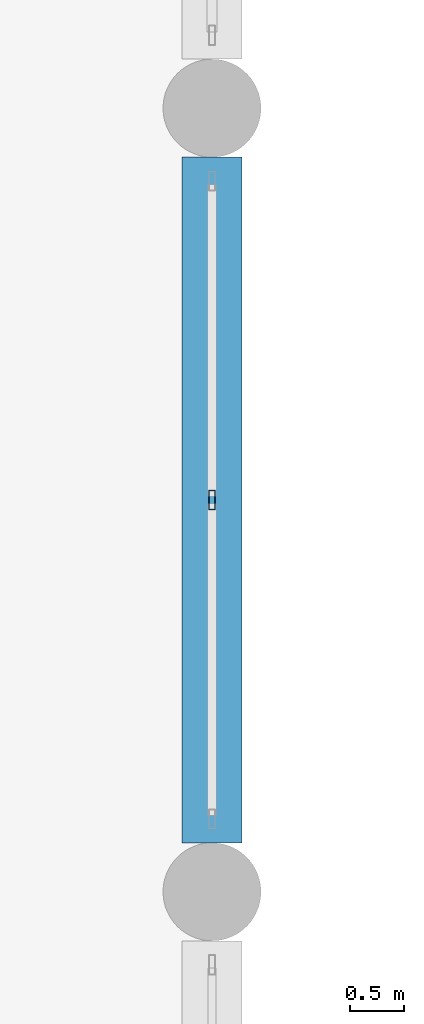
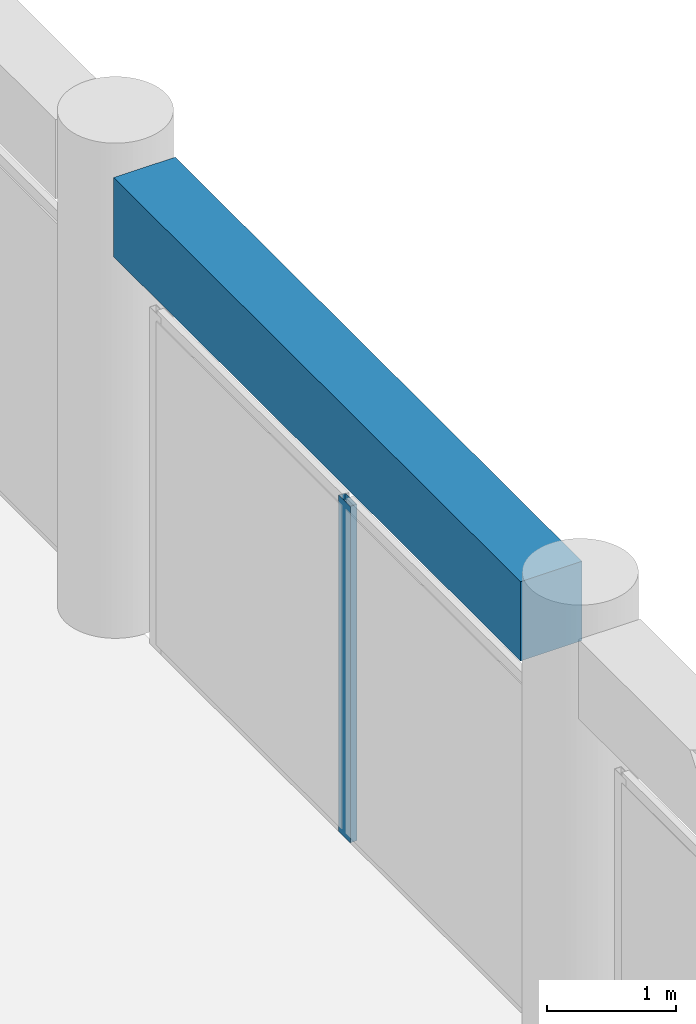
# One storey, part 23 of 54: 1 beam, 1 member, 1 element without a shape of its own.
"""IFC4 building model written with IfcOpenShell, lengths in metres."""

from ifc_helpers import new_model, si_unit, direction, frame, origin, origin_2d, place, context, subcontext, project, spatial, rectangle, hollow_rectangle, extrude, material, material_profile, profile_set, type_object, element, aggregate, save


model = new_model("IFC4")

# Units and contexts
model_context = context("Model", 3, precision=1e-05, world=origin(), true_north=direction((0.0, 1.0)))
body_context = subcontext(model_context, "Body", "Model", "MODEL_VIEW")
ifc_project = project(units=[si_unit("LENGTHUNIT", "METRE"), si_unit("AREAUNIT", "SQUARE_METRE"), si_unit("VOLUMEUNIT", "CUBIC_METRE"), si_unit("PLANEANGLEUNIT", "RADIAN"), si_unit("MASSUNIT", "GRAM", prefix="KILO")], contexts=[model_context])

# Site, building, storey
site_placement = place(None, origin())
site = spatial("IfcSite", under=ifc_project, at=site_placement, CompositionType="ELEMENT")
building_placement = place(site_placement, origin())
building = spatial("IfcBuilding", under=site, at=building_placement, Name="Kazehaya Institute of Natural Sciences", CompositionType="ELEMENT")
storey_placement = place(building_placement, frame((0.0, 0.0, 10.43994140625)))
storey = spatial("IfcBuildingStorey", under=building, at=storey_placement, Name="L02", CompositionType="ELEMENT", Elevation=10.43994140625)

# Beam
ifc_material_1 = material(Name="Concrete Fc36", Category="concrete")
ifc_material_profile_1 = material_profile(ifc_material_1, rectangle(XDim=0.550048828125, YDim=0.75, at=origin_2d()), Name="RC-550x750")
ifc_profile_set_1 = profile_set([ifc_material_profile_1], Name="Concrete Fc36")
beam_type = type_object("IfcBeamType", Name="BM-G-550x750", PredefinedType="BEAM", material=ifc_profile_set_1)
beam_placement = place(storey_placement, frame((112.199951171875, 50.449951171875, 4.03515625), z_axis=(0.0, 1.0, 0.0), x_axis=(-1.0, 0.0, 0.0)))
element("IfcBeam", 1, at=beam_placement, inside=storey, type_object=beam_type, Name="L02 primary Y girder BMY-L02-1122-500", PredefinedType="BEAM", context=body_context, shape_type="SweptSolid", body=[
    extrude(rectangle(XDim=0.550048828125, YDim=0.75, at=origin_2d()), origin(), (0.0, 0.0, 1.0), 6.300048828125),
])

# Curtain wall, member
ifc_material_2 = material(Name="Aluminium alloy A6063S-T5", Category="aluminium")
curtain_wall_type = type_object("IfcCurtainWallType", Name="CW-SYS-03", PredefinedType="NOTDEFINED", material=ifc_material_2)
curtain_wall_placement = place(storey_placement, origin())
curtain_wall = element("IfcCurtainWall", 2, at=curtain_wall_placement, inside=storey, type_object=curtain_wall_type, Name="L02 unitised curtain wall CW-L02-028", PredefinedType="NOTDEFINED")
ifc_material_profile_2 = material_profile(ifc_material_2, hollow_rectangle(XDim=0.06005859375, YDim=0.179931640625, WallThickness=0.00390625, at=origin_2d()), Name="ALU-60x180x4")
ifc_profile_set_2 = profile_set([ifc_material_profile_2], Name="Aluminium alloy A6063S-T5")
member_type = type_object("IfcMemberType", Name="CWM-180", PredefinedType="MULLION", material=ifc_profile_set_2)
member_placement = place(storey_placement, frame((112.199951171875, 53.60009765625, 0.0), z_axis=(0.0, 0.0, 1.0), x_axis=(1.0, 0.0, 0.0)))
member = element("IfcMember", 3, at=member_placement, type_object=member_type, Name="CW03 mullion 2", PredefinedType="MULLION", context=body_context, shape_type="SweptSolid", body=[
    extrude(hollow_rectangle(XDim=0.06005859375, YDim=0.179931640625, WallThickness=0.00390625, at=origin_2d()), origin(), (0.0, 0.0, 1.0), 3.18017578125),
])
aggregate(curtain_wall, [member])

save(model, "model.ifc")
